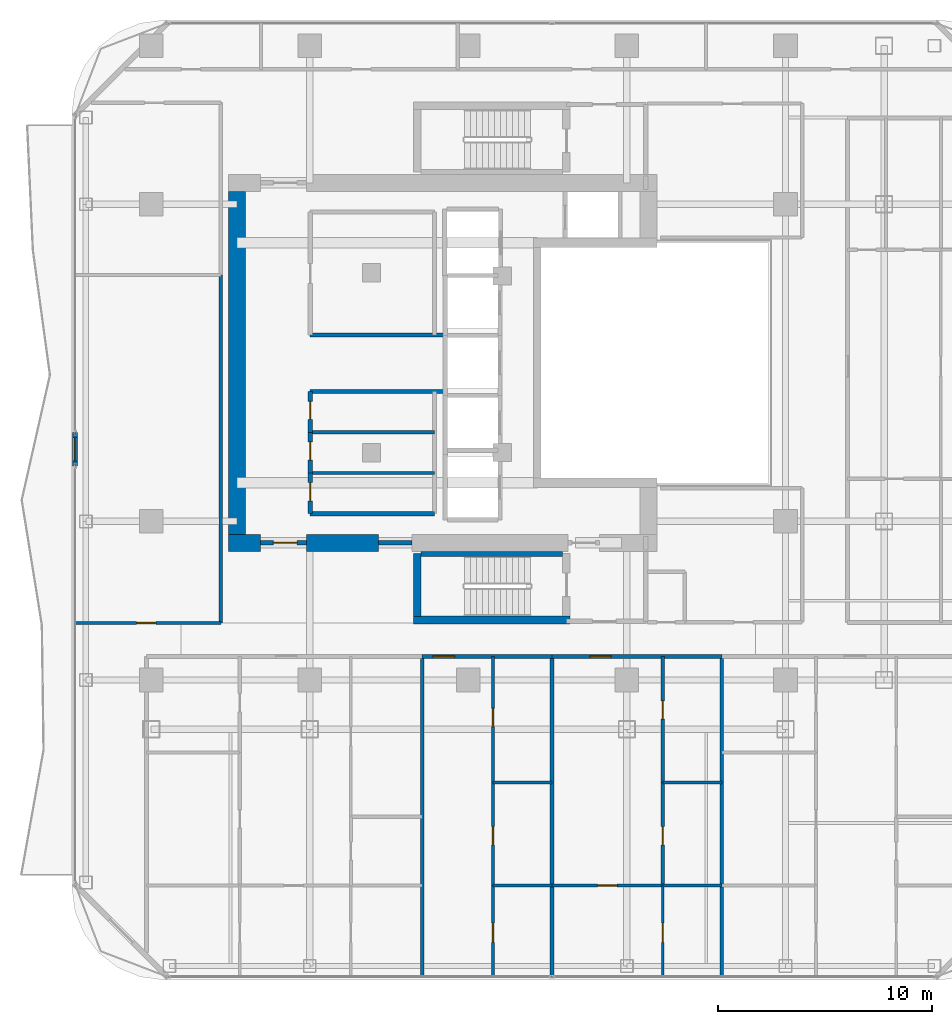
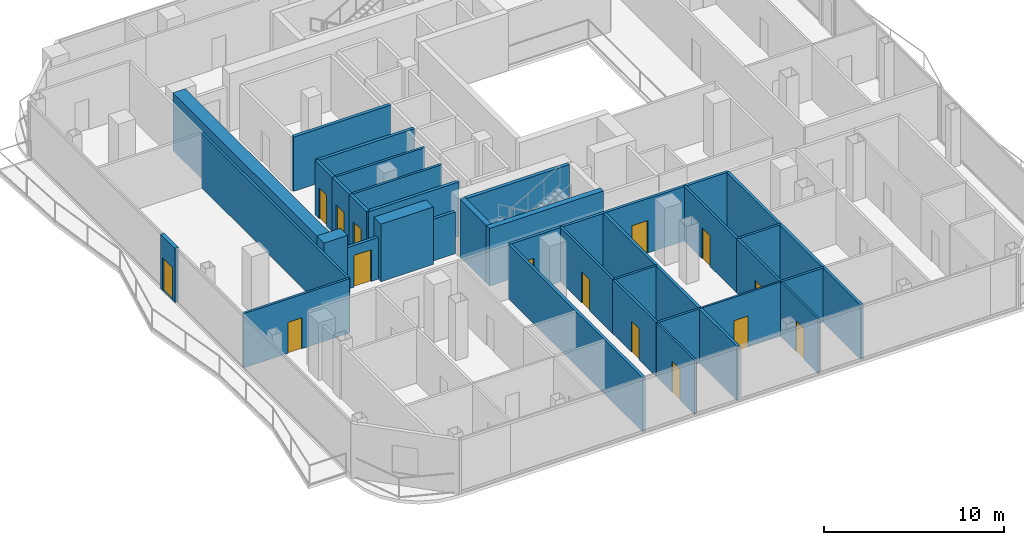
# One storey, part 20 of 26: 35 walls, 15 doors, 15 openings.
"""IFC4 building model written with IfcOpenShell, lengths in metres."""

from ifc_helpers import new_model, si_unit, direction, frame, frame_2d, origin, place, context, subcontext, project, spatial, rectangle, extrude, material, layer, layer_set, type_object, element, fill, save


model = new_model("IFC4")

# Units and contexts
model_context = context("Model", 3, precision=1e-05, world=origin(), true_north=direction((0.0, 1.0)))
body_context = subcontext(model_context, "Body", "Model", "MODEL_VIEW")
ifc_project = project(units=[si_unit("LENGTHUNIT", "METRE"), si_unit("AREAUNIT", "SQUARE_METRE"), si_unit("VOLUMEUNIT", "CUBIC_METRE"), si_unit("PLANEANGLEUNIT", "RADIAN"), si_unit("MASSUNIT", "GRAM", prefix="KILO")], contexts=[model_context])

# Site, building, storey
site_placement = place(None, origin())
site = spatial("IfcSite", under=ifc_project, at=site_placement, CompositionType="ELEMENT")
building_placement = place(site_placement, origin())
building = spatial("IfcBuilding", under=site, at=building_placement, Name="Khorvyn Point Tower", CompositionType="ELEMENT")
storey_placement = place(building_placement, frame((0.0, 0.0, 223.5)))
storey = spatial("IfcBuildingStorey", under=building, at=storey_placement, Name="L55", CompositionType="ELEMENT", Elevation=223.5)

# Wall, opening, door
ifc_material_1 = material(Name="Double acoustic gypsum on twin steel stud", Category="steel")
ifc_layer_1 = layer(ifc_material_1, 0.179931640625)
ifc_layer_set_1 = layer_set([ifc_layer_1], Name="Acoustic Double-Stud Apartment Demising Wall 180")
wall_type_1 = type_object("IfcWallType", Name="Acoustic Double-Stud Apartment Demising Wall 180", PredefinedType="PARTITIONING", material=ifc_layer_set_1)
wall_1_placement = place(storey_placement, frame((-2.154052734375, -13.699951171875, 0.0), z_axis=(0.0, 0.0, 1.0), x_axis=(1.0, 0.0, 0.0)))
wall_1 = element("IfcWall", 1, at=wall_1_placement, inside=storey, type_object=wall_type_1, Name="Wall", PredefinedType="PARTITIONING", context=body_context, shape_type="SweptSolid", body=[
    extrude(rectangle(XDim=6.053955078125, YDim=0.179931640625, at=frame_2d((3.02685546875, 0.0))), origin(), (0.0, 0.0, 1.0), 3.679931640625),
])
opening_1_placement = place(wall_1_placement, frame((0.5107421875, 0.0, 0.0)))
opening_1 = element("IfcOpeningElement", 2, at=opening_1_placement, cuts=wall_1, Name="Opening ID-AP60", PredefinedType="OPENING", context=body_context, shape_type="SweptSolid", body=[
    extrude(rectangle(XDim=1.0, YDim=2.199951171875, at=frame_2d((0.5, 1.10009765625))), frame((0.0, 0.099853515625, 0.0), z_axis=(0.0, -1.0, 0.0), x_axis=(1.0, 0.0, 0.0)), (0.0, 0.0, 1.0), 0.199951171875),
])
ifc_material_2 = material(Name="Engineered hardwood fire-rated leaf", Category="wood")
door_type_1 = type_object("IfcDoorType", Name="Acoustic Solid-Core Timber Apartment Entrance Door 1000x2200", OperationType="NOTDEFINED", PredefinedType="DOOR", material=ifc_material_2)
door_1_placement = place(opening_1_placement, origin())
door_1 = element("IfcDoor", 3, at=door_1_placement, inside=storey, type_object=door_type_1, Name="Door", OperationType="SINGLE_SWING_LEFT", OverallHeight=2.199951171875, OverallWidth=1.0, PredefinedType="DOOR", context=body_context, shape_type="SweptSolid", body=[
    extrude(rectangle(XDim=1.0, YDim=2.199951171875, at=frame_2d((0.5, 1.10009765625))), frame((0.0, 0.02490234375, 0.0), z_axis=(0.0, -1.0, 0.0), x_axis=(1.0, 0.0, 0.0)), (0.0, 0.0, 1.0), 0.050048828125),
])
fill(opening_1, door_1)

wall_2_placement = place(storey_placement, frame((3.89990234375, -13.699951171875, 0.0), z_axis=(0.0, 0.0, 1.0), x_axis=(1.0, 0.0, 0.0)))
wall_2 = element("IfcWall", 4, at=wall_2_placement, inside=storey, type_object=wall_type_1, Name="Wall", PredefinedType="PARTITIONING", context=body_context, shape_type="SweptSolid", body=[
    extrude(rectangle(XDim=7.927001953125, YDim=0.179931640625, at=frame_2d((3.96337890625, 0.0))), origin(), (0.0, 0.0, 1.0), 3.679931640625),
])
opening_2_placement = place(wall_2_placement, frame((1.76708984375, 0.0, 0.0)))
opening_2 = element("IfcOpeningElement", 5, at=opening_2_placement, cuts=wall_2, Name="Opening ID-AP60", PredefinedType="OPENING", context=body_context, shape_type="SweptSolid", body=[
    extrude(rectangle(XDim=1.0, YDim=2.199951171875, at=frame_2d((0.5, 1.10009765625))), frame((0.0, 0.099853515625, 0.0), z_axis=(0.0, -1.0, 0.0), x_axis=(1.0, 0.0, 0.0)), (0.0, 0.0, 1.0), 0.199951171875),
])
door_2_placement = place(opening_2_placement, origin())
door_2 = element("IfcDoor", 6, at=door_2_placement, inside=storey, type_object=door_type_1, Name="Door", OperationType="SINGLE_SWING_LEFT", OverallHeight=2.199951171875, OverallWidth=1.0, PredefinedType="DOOR", context=body_context, shape_type="SweptSolid", body=[
    extrude(rectangle(XDim=1.0, YDim=2.199951171875, at=frame_2d((0.5, 1.10009765625))), frame((0.0, 0.02490234375, 0.0), z_axis=(0.0, -1.0, 0.0), x_axis=(1.0, 0.0, 0.0)), (0.0, 0.0, 1.0), 0.050048828125),
])
fill(opening_2, door_2)

# Walls
for number, where, z_axis, x_axis, name in (
    (7, (-2.154052734375, -28.6298828125, 0.0), (0.0, 0.0, 1.0), (0.0, 1.0, 0.0), "Wall"),
    (8, (3.89990234375, -28.6298828125, 0.0), (0.0, 0.0, 1.0), (0.0, 1.0, 0.0), "Wall"),
    (9, (11.826904296875, -28.6298828125, 0.0), (0.0, 0.0, 1.0), (0.0, 1.0, 0.0), "Wall"),
):
    element("IfcWall", number, at=place(storey_placement, frame(where, z_axis=z_axis, x_axis=x_axis)), inside=storey, type_object=wall_type_1, Name=name, PredefinedType="PARTITIONING", context=body_context, shape_type="SweptSolid", body=[
        extrude(rectangle(XDim=14.929931640625, YDim=0.179931640625, at=frame_2d((7.46484375, 0.0))), origin(), (0.0, 0.0, 1.0), 3.679931640625),
    ])

# Wall, opening, door
ifc_material_3 = material(Name="Pale anodised aluminium rainscreen on steel stud", Category="steel")
ifc_layer_2 = layer(ifc_material_3, 0.239990234375)
ifc_layer_set_2 = layer_set([ifc_layer_2], Name="Anodised Aluminium Insulated Corner Spandrel Wall 240")
wall_type_2 = type_object("IfcWallType", Name="Anodised Aluminium Insulated Corner Spandrel Wall 240", PredefinedType="SOLIDWALL", material=ifc_layer_set_2)
wall_3_placement = place(storey_placement, frame((-18.35009765625, -4.820068359375, 0.0), z_axis=(0.0, 0.0, 1.0), x_axis=(0.0, 1.0, 0.0)))
wall_3 = element("IfcWall", 10, at=wall_3_placement, inside=storey, type_object=wall_type_2, Name="L55 West Outdoor Threshold Wall", PredefinedType="SOLIDWALL", context=body_context, shape_type="SweptSolid", body=[
    extrude(rectangle(XDim=1.580078125, YDim=0.239990234375, at=frame_2d((0.7900390625, 0.0))), origin(), (0.0, 0.0, 1.0), 3.679931640625),
])
opening_3_placement = place(wall_3_placement, frame((0.239990234375, 0.0, 0.0)))
opening_3 = element("IfcOpeningElement", 11, at=opening_3_placement, cuts=wall_3, Name="Opening BD-1122", PredefinedType="OPENING", context=body_context, shape_type="SweptSolid", body=[
    extrude(rectangle(XDim=1.10009765625, YDim=2.199951171875, at=frame_2d((0.550048828125, 1.10009765625))), frame((0.0, 0.1298828125, 0.0), z_axis=(0.0, -1.0, 0.0), x_axis=(1.0, 0.0, 0.0)), (0.0, 0.0, 1.0), 0.260009765625),
])
ifc_material_4 = material(Name="Anodised aluminium 6063-T6 and laminated Low-E glass", Category="aluminium")
door_type_2 = type_object("IfcDoorType", Name="Glazed Balcony and Terrace Threshold Door 1100x2200", OperationType="NOTDEFINED", PredefinedType="DOOR", material=ifc_material_4)
door_3_placement = place(opening_3_placement, origin())
door_3 = element("IfcDoor", 12, at=door_3_placement, inside=storey, type_object=door_type_2, Name="L55 West Glazed Balcony Outdoor Door", OperationType="SINGLE_SWING_RIGHT", OverallHeight=2.199951171875, OverallWidth=1.10009765625, PredefinedType="DOOR", context=body_context, shape_type="SweptSolid", body=[
    extrude(rectangle(XDim=1.10009765625, YDim=2.199951171875, at=frame_2d((0.550048828125, 1.10009765625))), frame((0.0, 0.02490234375, 0.0), z_axis=(0.0, -1.0, 0.0), x_axis=(1.0, 0.0, 0.0)), (0.0, 0.0, 1.0), 0.050048828125),
])
fill(opening_3, door_3)

ifc_material_5 = material(Name="Concrete C40/50", Category="concrete")
ifc_layer_3 = layer(ifc_material_5, 0.199951171875)
ifc_layer_set_3 = layer_set([ifc_layer_3], Name="Concrete C40/50 Fire-Lobby Compartment Wall 200")
wall_type_3 = type_object("IfcWallType", Name="Concrete C40/50 Fire-Lobby Compartment Wall 200", PredefinedType="SOLIDWALL", material=ifc_layer_set_3)
wall_4_placement = place(storey_placement, frame((-9.699951171875, -8.39990234375, 0.0), z_axis=(0.0, 0.0, 1.0), x_axis=(1.0, 0.0, 0.0)))
wall_4 = element("IfcWall", 13, at=wall_4_placement, inside=storey, type_object=wall_type_3, Name="Wall", PredefinedType="SOLIDWALL", context=body_context, shape_type="SweptSolid", body=[
    extrude(rectangle(XDim=2.14990234375, YDim=0.199951171875, at=frame_2d((1.074951171875, 0.0))), origin(), (0.0, 0.0, 1.0), 2.820068359375),
])
opening_4_placement = place(wall_4_placement, frame((0.597900390625, 0.0, 0.0)))
opening_4 = element("IfcOpeningElement", 14, at=opening_4_placement, cuts=wall_4, Name="Opening ID-FL90", PredefinedType="OPENING", context=body_context, shape_type="SweptSolid", body=[
    extrude(rectangle(XDim=1.10009765625, YDim=2.14990234375, at=frame_2d((0.550048828125, 1.074951171875))), frame((0.0, 0.10986328125, 0.0), z_axis=(0.0, -1.0, 0.0), x_axis=(1.0, 0.0, 0.0)), (0.0, 0.0, 1.0), 0.219970703125),
])
ifc_material_6 = material(Name="Galvanised powder-coated steel", Category="steel")
door_type_3 = type_object("IfcDoorType", Name="Fire-Rated Steel Lobby and Stair Door 1100x2150", OperationType="NOTDEFINED", PredefinedType="DOOR", material=ifc_material_6)
door_4_placement = place(opening_4_placement, origin())
door_4 = element("IfcDoor", 15, at=door_4_placement, inside=storey, type_object=door_type_3, Name="Door", OperationType="SINGLE_SWING_RIGHT", OverallHeight=2.14990234375, OverallWidth=1.10009765625, PredefinedType="DOOR", context=body_context, shape_type="SweptSolid", body=[
    extrude(rectangle(XDim=1.10009765625, YDim=2.14990234375, at=frame_2d((0.550048828125, 1.074951171875))), frame((0.0, 0.02490234375, 0.0), z_axis=(0.0, -1.0, 0.0), x_axis=(1.0, 0.0, 0.0)), (0.0, 0.0, 1.0), 0.050048828125),
])
fill(opening_4, door_4)

wall_5_placement = place(storey_placement, frame((-7.3798828125, -7.0400390625, 0.0), z_axis=(0.0, 0.0, 1.0), x_axis=(0.0, 1.0, 0.0)))
wall_5 = element("IfcWall", 16, at=wall_5_placement, inside=storey, type_object=wall_type_3, Name="Wall", PredefinedType="SOLIDWALL", context=body_context, shape_type="SweptSolid", body=[
    extrude(rectangle(XDim=1.900146484375, YDim=0.199951171875, at=frame_2d((0.9501953125, 0.0))), origin(), (0.0, 0.0, 1.0), 3.679931640625),
])
opening_5_placement = place(wall_5_placement, frame((0.597900390625, 0.0, 0.0)))
opening_5 = element("IfcOpeningElement", 17, at=opening_5_placement, cuts=wall_5, Name="Opening ID-WC85", PredefinedType="OPENING", context=body_context, shape_type="SweptSolid", body=[
    extrude(rectangle(XDim=0.85009765625, YDim=2.10009765625, at=frame_2d((0.425048828125, 1.050048828125))), frame((0.0, 0.10986328125, 0.0), z_axis=(0.0, -1.0, 0.0), x_axis=(1.0, 0.0, 0.0)), (0.0, 0.0, 1.0), 0.219970703125),
])
ifc_material_7 = material(Name="High-pressure laminate on moisture-resistant core", Category="wood")
door_type_4 = type_object("IfcDoorType", Name="Moisture-Resistant Accessible Washroom Door 850x2100", OperationType="NOTDEFINED", PredefinedType="DOOR", material=ifc_material_7)
door_5_placement = place(opening_5_placement, origin())
door_5 = element("IfcDoor", 18, at=door_5_placement, inside=storey, type_object=door_type_4, Name="Door", OperationType="SINGLE_SWING_RIGHT", OverallHeight=2.10009765625, OverallWidth=0.85009765625, PredefinedType="DOOR", context=body_context, shape_type="SweptSolid", body=[
    extrude(rectangle(XDim=0.85009765625, YDim=2.10009765625, at=frame_2d((0.425048828125, 1.050048828125))), frame((0.0, 0.02490234375, 0.0), z_axis=(0.0, -1.0, 0.0), x_axis=(1.0, 0.0, 0.0)), (0.0, 0.0, 1.0), 0.050048828125),
])
fill(opening_5, door_5)

wall_6_placement = place(storey_placement, frame((-7.3798828125, -5.139892578125, 0.0), z_axis=(0.0, 0.0, 1.0), x_axis=(0.0, 1.0, 0.0)))
wall_6 = element("IfcWall", 19, at=wall_6_placement, inside=storey, type_object=wall_type_3, Name="Wall", PredefinedType="SOLIDWALL", context=body_context, shape_type="SweptSolid", body=[
    extrude(rectangle(XDim=1.89990234375, YDim=0.199951171875, at=frame_2d((0.949951171875, 0.0))), origin(), (0.0, 0.0, 1.0), 3.679931640625),
])
opening_6_placement = place(wall_6_placement, frame((0.597900390625, 0.0, 0.0)))
opening_6 = element("IfcOpeningElement", 20, at=opening_6_placement, cuts=wall_6, Name="Opening ID-WC85", PredefinedType="OPENING", context=body_context, shape_type="SweptSolid", body=[
    extrude(rectangle(XDim=0.85009765625, YDim=2.10009765625, at=frame_2d((0.425048828125, 1.050048828125))), frame((0.0, 0.10986328125, 0.0), z_axis=(0.0, -1.0, 0.0), x_axis=(1.0, 0.0, 0.0)), (0.0, 0.0, 1.0), 0.219970703125),
])
door_6_placement = place(opening_6_placement, origin())
door_6 = element("IfcDoor", 21, at=door_6_placement, inside=storey, type_object=door_type_4, Name="Door", OperationType="SINGLE_SWING_LEFT", OverallHeight=2.10009765625, OverallWidth=0.85009765625, PredefinedType="DOOR", context=body_context, shape_type="SweptSolid", body=[
    extrude(rectangle(XDim=0.85009765625, YDim=2.10009765625, at=frame_2d((0.425048828125, 1.050048828125))), frame((0.0, 0.02490234375, 0.0), z_axis=(0.0, -1.0, 0.0), x_axis=(1.0, 0.0, 0.0)), (0.0, 0.0, 1.0), 0.050048828125),
])
fill(opening_6, door_6)

wall_7_placement = place(storey_placement, frame((-7.3798828125, -3.239990234375, 0.0), z_axis=(0.0, 0.0, 1.0), x_axis=(0.0, 1.0, 0.0)))
wall_7 = element("IfcWall", 22, at=wall_7_placement, inside=storey, type_object=wall_type_3, Name="Wall", PredefinedType="SOLIDWALL", context=body_context, shape_type="SweptSolid", body=[
    extrude(rectangle(XDim=1.89990234375, YDim=0.199951171875, at=frame_2d((0.949951171875, 0.0))), origin(), (0.0, 0.0, 1.0), 3.679931640625),
])
opening_7_placement = place(wall_7_placement, frame((0.597900390625, 0.0, 0.0)))
opening_7 = element("IfcOpeningElement", 23, at=opening_7_placement, cuts=wall_7, Name="Opening ID-WC85", PredefinedType="OPENING", context=body_context, shape_type="SweptSolid", body=[
    extrude(rectangle(XDim=0.85009765625, YDim=2.10009765625, at=frame_2d((0.425048828125, 1.050048828125))), frame((0.0, 0.10986328125, 0.0), z_axis=(0.0, -1.0, 0.0), x_axis=(1.0, 0.0, 0.0)), (0.0, 0.0, 1.0), 0.219970703125),
])
door_7_placement = place(opening_7_placement, origin())
door_7 = element("IfcDoor", 24, at=door_7_placement, inside=storey, type_object=door_type_4, Name="Door", OperationType="SINGLE_SWING_RIGHT", OverallHeight=2.10009765625, OverallWidth=0.85009765625, PredefinedType="DOOR", context=body_context, shape_type="SweptSolid", body=[
    extrude(rectangle(XDim=0.85009765625, YDim=2.10009765625, at=frame_2d((0.425048828125, 1.050048828125))), frame((0.0, 0.02490234375, 0.0), z_axis=(0.0, -1.0, 0.0), x_axis=(1.0, 0.0, 0.0)), (0.0, 0.0, 1.0), 0.050048828125),
])
fill(opening_7, door_7)

# Walls
wall_8_placement = place(storey_placement, frame((-4.199951171875, -8.39990234375, 0.0), z_axis=(0.0, 0.0, 1.0), x_axis=(1.0, 0.0, 0.0)))
element("IfcWall", 25, at=wall_8_placement, inside=storey, type_object=wall_type_3, Name="Wall", PredefinedType="SOLIDWALL", context=body_context, shape_type="SweptSolid", body=[
    extrude(rectangle(XDim=1.579833984375, YDim=0.199951171875, at=frame_2d((0.7900390625, 0.0))), origin(), (0.0, 0.0, 1.0), 2.820068359375),
])
for number, where, z_axis, x_axis, name in (
    (26, (-7.3798828125, -1.340087890625, 0.0), (0.0, 0.0, 1.0), (1.0, 0.0, 0.0), "Wall"),
    (27, (-7.3798828125, 1.300048828125, 0.0), (0.0, 0.0, 1.0), (1.0, 0.0, 0.0), "Wall"),
):
    element("IfcWall", number, at=place(storey_placement, frame(where, z_axis=z_axis, x_axis=x_axis)), inside=storey, type_object=wall_type_3, Name=name, PredefinedType="SOLIDWALL", context=body_context, shape_type="SweptSolid", body=[
        extrude(rectangle(XDim=6.239990234375, YDim=0.199951171875, at=frame_2d((3.1201171875, 0.0))), origin(), (0.0, 0.0, 1.0), 3.679931640625),
    ])
wall_9_placement = place(storey_placement, frame((-7.3798828125, -7.0400390625, 0.0), z_axis=(0.0, 0.0, 1.0), x_axis=(1.0, 0.0, 0.0)))
element("IfcWall", 28, at=wall_9_placement, inside=storey, type_object=wall_type_3, Name="Wall", PredefinedType="SOLIDWALL", context=body_context, shape_type="SweptSolid", body=[
    extrude(rectangle(XDim=5.7998046875, YDim=0.199951171875, at=frame_2d((2.89990234375, 0.0))), origin(), (0.0, 0.0, 1.0), 3.679931640625),
])
ifc_layer_4 = layer(ifc_material_5, 0.25)
ifc_layer_set_4 = layer_set([ifc_layer_4], Name="Concrete C40/50 Stair Inner Cheek Structural Wall 250")
wall_type_4 = type_object("IfcWallType", Name="Concrete C40/50 Stair Inner Cheek Structural Wall 250", PredefinedType="SHEAR", material=ifc_layer_set_4)
wall_10_placement = place(storey_placement, frame((-2.199951171875, -8.91259765625, 0.0), z_axis=(0.0, 0.0, 1.0), x_axis=(1.0, 0.0, 0.0)))
element("IfcWall", 29, at=wall_10_placement, inside=storey, type_object=wall_type_4, Name="Wall", PredefinedType="SHEAR", context=body_context, shape_type="SweptSolid", body=[
    extrude(rectangle(XDim=6.599853515625, YDim=0.22509765625, at=frame_2d((3.2998046875, 0.0))), origin(), (0.0, 0.0, 1.0), 3.89990234375),
])
ifc_layer_5 = layer(ifc_material_5, 0.35009765625)
ifc_layer_set_5 = layer_set([ifc_layer_5], Name="Concrete C40/50 Stair Shaft Structural Wall 350")
wall_type_5 = type_object("IfcWallType", Name="Concrete C40/50 Stair Shaft Structural Wall 350", PredefinedType="SHEAR", material=ifc_layer_set_5)
wall_11_placement = place(storey_placement, frame((-2.554931640625, -12.0, 0.0), z_axis=(0.0, 0.0, 1.0), x_axis=(1.0, 0.0, 0.0)))
element("IfcWall", 30, at=wall_11_placement, inside=storey, type_object=wall_type_5, Name="L55 ST-01 South Shaft Wall", PredefinedType="SHEAR", context=body_context, shape_type="SweptSolid", body=[
    extrude(rectangle(XDim=7.309814453125, YDim=0.35009765625, at=frame_2d((3.65478515625, 0.0))), origin(), (0.0, 0.0, 1.0), 3.89990234375),
])
wall_12_placement = place(storey_placement, frame((-2.3798828125, -11.824951171875, 0.0), z_axis=(0.0, 0.0, 1.0), x_axis=(0.0, 1.0, 0.0)))
element("IfcWall", 31, at=wall_12_placement, inside=storey, type_object=wall_type_5, Name="L55 ST-01 West Shaft Wall", PredefinedType="SHEAR", context=body_context, shape_type="SweptSolid", body=[
    extrude(rectangle(XDim=2.925048828125, YDim=0.35009765625, at=frame_2d((1.46240234375, 0.0))), origin(), (0.0, 0.0, 1.0), 3.89990234375),
])
ifc_material_8 = material(Name="Concrete C45/55", Category="concrete")
ifc_layer_6 = layer(ifc_material_8, 0.800048828125)
ifc_layer_set_6 = layer_set([ifc_layer_6], Name="Concrete C45/55 Core Shear Wall 800")
wall_type_6 = type_object("IfcWallType", Name="Concrete C45/55 Core Shear Wall 800", PredefinedType="SHEAR", material=ifc_layer_set_6)
wall_13_placement = place(storey_placement, frame((-11.199951171875, -8.39990234375, 0.0), z_axis=(0.0, 0.0, 1.0), x_axis=(1.0, 0.0, 0.0)))
element("IfcWall", 32, at=wall_13_placement, inside=storey, type_object=wall_type_6, Name="Wall", PredefinedType="SHEAR", context=body_context, shape_type="SweptSolid", body=[
    extrude(rectangle(XDim=1.5, YDim=0.800048828125, at=frame_2d((0.75, 0.0))), origin(), (0.0, 0.0, 1.0), 3.89990234375),
])
wall_14_placement = place(storey_placement, frame((-7.550048828125, -8.39990234375, 0.0), z_axis=(0.0, 0.0, 1.0), x_axis=(1.0, 0.0, 0.0)))
element("IfcWall", 33, at=wall_14_placement, inside=storey, type_object=wall_type_6, Name="Wall", PredefinedType="SHEAR", context=body_context, shape_type="SweptSolid", body=[
    extrude(rectangle(XDim=3.35009765625, YDim=0.800048828125, at=frame_2d((1.675048828125, 0.0))), origin(), (0.0, 0.0, 1.0), 3.89990234375),
])
wall_15_placement = place(storey_placement, frame((-10.800048828125, -8.0, 0.0), z_axis=(0.0, 0.0, 1.0), x_axis=(0.0, 1.0, 0.0)))
element("IfcWall", 34, at=wall_15_placement, inside=storey, type_object=wall_type_6, Name="Wall", PredefinedType="SHEAR", context=body_context, shape_type="SweptSolid", body=[
    extrude(rectangle(XDim=16.0, YDim=0.800048828125, at=frame_2d((8.0, 0.0))), origin(), (0.0, 0.0, 1.0), 3.89990234375),
])

# Wall, opening, door
ifc_material_9 = material(Name="Gypsum plasterboard on steel stud", Category="steel")
ifc_layer_7 = layer(ifc_material_9, 0.1201171875)
ifc_layer_set_7 = layer_set([ifc_layer_7], Name="Gypsum Acoustic Stud Room Partition Wall 120")
wall_type_7 = type_object("IfcWallType", Name="Gypsum Acoustic Stud Room Partition Wall 120", PredefinedType="PARTITIONING", material=ifc_layer_set_7)
wall_16_placement = place(storey_placement, frame((1.14990234375, -28.6298828125, 0.0), z_axis=(0.0, 0.0, 1.0), x_axis=(0.0, 1.0, 0.0)))
wall_16 = element("IfcWall", 35, at=wall_16_placement, inside=storey, type_object=wall_type_7, Name="Wall", PredefinedType="PARTITIONING", context=body_context, shape_type="SweptSolid", body=[
    extrude(rectangle(XDim=4.239990234375, YDim=0.1201171875, at=frame_2d((2.1201171875, 0.0))), origin(), (0.0, 0.0, 1.0), 3.679931640625),
])
opening_8_placement = place(wall_16_placement, frame((1.581298828125, 0.0, 0.0)))
opening_8 = element("IfcOpeningElement", 36, at=opening_8_placement, cuts=wall_16, Name="Opening ID-RM90", PredefinedType="OPENING", context=body_context, shape_type="SweptSolid", body=[
    extrude(rectangle(XDim=0.89990234375, YDim=2.10009765625, at=frame_2d((0.449951171875, 1.050048828125))), frame((0.0, 0.070068359375, 0.0), z_axis=(0.0, -1.0, 0.0), x_axis=(1.0, 0.0, 0.0)), (0.0, 0.0, 1.0), 0.14013671875),
])
ifc_material_10 = material(Name="Engineered oak veneer timber", Category="wood")
door_type_5 = type_object("IfcDoorType", Name="Flush Engineered Timber Room Door 900x2100", OperationType="NOTDEFINED", PredefinedType="DOOR", material=ifc_material_10)
door_8_placement = place(opening_8_placement, origin())
door_8 = element("IfcDoor", 37, at=door_8_placement, inside=storey, type_object=door_type_5, Name="Door", OperationType="SINGLE_SWING_RIGHT", OverallHeight=2.10009765625, OverallWidth=0.89990234375, PredefinedType="DOOR", context=body_context, shape_type="SweptSolid", body=[
    extrude(rectangle(XDim=0.89990234375, YDim=2.10009765625, at=frame_2d((0.449951171875, 1.050048828125))), frame((0.0, 0.02490234375, 0.0), z_axis=(0.0, -1.0, 0.0), x_axis=(1.0, 0.0, 0.0)), (0.0, 0.0, 1.0), 0.050048828125),
])
fill(opening_8, door_8)

wall_17_placement = place(storey_placement, frame((3.89990234375, -24.389892578125, 0.0), z_axis=(0.0, 0.0, 1.0), x_axis=(1.0, 0.0, 0.0)))
wall_17 = element("IfcWall", 38, at=wall_17_placement, inside=storey, type_object=wall_type_7, Name="Wall", PredefinedType="PARTITIONING", context=body_context, shape_type="SweptSolid", body=[
    extrude(rectangle(XDim=5.177001953125, YDim=0.1201171875, at=frame_2d((2.58837890625, 0.0))), origin(), (0.0, 0.0, 1.0), 3.679931640625),
])
opening_9_placement = place(wall_17_placement, frame((2.138427734375, 0.0, 0.0)))
opening_9 = element("IfcOpeningElement", 39, at=opening_9_placement, cuts=wall_17, Name="Opening ID-RM90", PredefinedType="OPENING", context=body_context, shape_type="SweptSolid", body=[
    extrude(rectangle(XDim=0.89990234375, YDim=2.10009765625, at=frame_2d((0.449951171875, 1.050048828125))), frame((0.0, 0.070068359375, 0.0), z_axis=(0.0, -1.0, 0.0), x_axis=(1.0, 0.0, 0.0)), (0.0, 0.0, 1.0), 0.14013671875),
])
door_9_placement = place(opening_9_placement, origin())
door_9 = element("IfcDoor", 40, at=door_9_placement, inside=storey, type_object=door_type_5, Name="Door", OperationType="SINGLE_SWING_RIGHT", OverallHeight=2.10009765625, OverallWidth=0.89990234375, PredefinedType="DOOR", context=body_context, shape_type="SweptSolid", body=[
    extrude(rectangle(XDim=0.89990234375, YDim=2.10009765625, at=frame_2d((0.449951171875, 1.050048828125))), frame((0.0, 0.02490234375, 0.0), z_axis=(0.0, -1.0, 0.0), x_axis=(1.0, 0.0, 0.0)), (0.0, 0.0, 1.0), 0.050048828125),
])
fill(opening_9, door_9)

wall_18_placement = place(storey_placement, frame((9.076904296875, -28.6298828125, 0.0), z_axis=(0.0, 0.0, 1.0), x_axis=(0.0, 1.0, 0.0)))
wall_18 = element("IfcWall", 41, at=wall_18_placement, inside=storey, type_object=wall_type_7, Name="Wall", PredefinedType="PARTITIONING", context=body_context, shape_type="SweptSolid", body=[
    extrude(rectangle(XDim=4.239990234375, YDim=0.1201171875, at=frame_2d((2.1201171875, 0.0))), origin(), (0.0, 0.0, 1.0), 3.679931640625),
])
opening_10_placement = place(wall_18_placement, frame((1.581298828125, 0.0, 0.0)))
opening_10 = element("IfcOpeningElement", 42, at=opening_10_placement, cuts=wall_18, Name="Opening ID-RM90", PredefinedType="OPENING", context=body_context, shape_type="SweptSolid", body=[
    extrude(rectangle(XDim=0.89990234375, YDim=2.10009765625, at=frame_2d((0.449951171875, 1.050048828125))), frame((0.0, 0.070068359375, 0.0), z_axis=(0.0, -1.0, 0.0), x_axis=(1.0, 0.0, 0.0)), (0.0, 0.0, 1.0), 0.14013671875),
])
door_10_placement = place(opening_10_placement, origin())
door_10 = element("IfcDoor", 43, at=door_10_placement, inside=storey, type_object=door_type_5, Name="Door", OperationType="SINGLE_SWING_LEFT", OverallHeight=2.10009765625, OverallWidth=0.89990234375, PredefinedType="DOOR", context=body_context, shape_type="SweptSolid", body=[
    extrude(rectangle(XDim=0.89990234375, YDim=2.10009765625, at=frame_2d((0.449951171875, 1.050048828125))), frame((0.0, 0.02490234375, 0.0), z_axis=(0.0, -1.0, 0.0), x_axis=(1.0, 0.0, 0.0)), (0.0, 0.0, 1.0), 0.050048828125),
])
fill(opening_10, door_10)

ifc_material_11 = material(Name="Moisture-resistant gypsum and cement board", Category="gypsum")
ifc_layer_8 = layer(ifc_material_11, 0.14990234375)
ifc_layer_set_8 = layer_set([ifc_layer_8], Name="Moisture-Resistant Wet-Room Partition Wall 150")
wall_type_8 = type_object("IfcWallType", Name="Moisture-Resistant Wet-Room Partition Wall 150", PredefinedType="PARTITIONING", material=ifc_layer_set_8)
wall_19_placement = place(storey_placement, frame((1.14990234375, -19.5791015625, 0.0), z_axis=(0.0, 0.0, 1.0), x_axis=(0.0, 1.0, 0.0)))
wall_19 = element("IfcWall", 44, at=wall_19_placement, inside=storey, type_object=wall_type_8, Name="Wall", PredefinedType="PARTITIONING", context=body_context, shape_type="SweptSolid", body=[
    extrude(rectangle(XDim=5.879150390625, YDim=0.14990234375, at=frame_2d((2.939453125, 0.0))), origin(), (0.0, 0.0, 1.0), 3.679931640625),
])
opening_11_placement = place(wall_19_placement, frame((2.601806640625, 0.0, 0.0)))
opening_11 = element("IfcOpeningElement", 45, at=opening_11_placement, cuts=wall_19, Name="Opening ID-WC85", PredefinedType="OPENING", context=body_context, shape_type="SweptSolid", body=[
    extrude(rectangle(XDim=0.85009765625, YDim=2.10009765625, at=frame_2d((0.425048828125, 1.050048828125))), frame((0.0, 0.0849609375, 0.0), z_axis=(0.0, -1.0, 0.0), x_axis=(1.0, 0.0, 0.0)), (0.0, 0.0, 1.0), 0.169921875),
])
door_11_placement = place(opening_11_placement, origin())
door_11 = element("IfcDoor", 46, at=door_11_placement, inside=storey, type_object=door_type_4, Name="Door", OperationType="SINGLE_SWING_RIGHT", OverallHeight=2.10009765625, OverallWidth=0.85009765625, PredefinedType="DOOR", context=body_context, shape_type="SweptSolid", body=[
    extrude(rectangle(XDim=0.85009765625, YDim=2.10009765625, at=frame_2d((0.425048828125, 1.050048828125))), frame((0.0, 0.02490234375, 0.0), z_axis=(0.0, -1.0, 0.0), x_axis=(1.0, 0.0, 0.0)), (0.0, 0.0, 1.0), 0.050048828125),
])
fill(opening_11, door_11)

wall_20_placement = place(storey_placement, frame((1.14990234375, -24.389892578125, 0.0), z_axis=(0.0, 0.0, 1.0), x_axis=(0.0, 1.0, 0.0)))
wall_20 = element("IfcWall", 47, at=wall_20_placement, inside=storey, type_object=wall_type_8, Name="Wall", PredefinedType="PARTITIONING", context=body_context, shape_type="SweptSolid", body=[
    extrude(rectangle(XDim=4.810791015625, YDim=0.14990234375, at=frame_2d((2.4052734375, 0.0))), origin(), (0.0, 0.0, 1.0), 3.679931640625),
])
opening_12_placement = place(wall_20_placement, frame((1.893798828125, 0.0, 0.0)))
opening_12 = element("IfcOpeningElement", 48, at=opening_12_placement, cuts=wall_20, Name="Opening ID-WC85", PredefinedType="OPENING", context=body_context, shape_type="SweptSolid", body=[
    extrude(rectangle(XDim=0.85009765625, YDim=2.10009765625, at=frame_2d((0.425048828125, 1.050048828125))), frame((0.0, 0.0849609375, 0.0), z_axis=(0.0, -1.0, 0.0), x_axis=(1.0, 0.0, 0.0)), (0.0, 0.0, 1.0), 0.169921875),
])
door_12_placement = place(opening_12_placement, origin())
door_12 = element("IfcDoor", 49, at=door_12_placement, inside=storey, type_object=door_type_4, Name="Door", OperationType="SINGLE_SWING_LEFT", OverallHeight=2.10009765625, OverallWidth=0.85009765625, PredefinedType="DOOR", context=body_context, shape_type="SweptSolid", body=[
    extrude(rectangle(XDim=0.85009765625, YDim=2.10009765625, at=frame_2d((0.425048828125, 1.050048828125))), frame((0.0, 0.02490234375, 0.0), z_axis=(0.0, -1.0, 0.0), x_axis=(1.0, 0.0, 0.0)), (0.0, 0.0, 1.0), 0.050048828125),
])
fill(opening_12, door_12)

wall_21_placement = place(storey_placement, frame((9.076904296875, -19.5791015625, 0.0), z_axis=(0.0, 0.0, 1.0), x_axis=(0.0, 1.0, 0.0)))
wall_21 = element("IfcWall", 50, at=wall_21_placement, inside=storey, type_object=wall_type_8, Name="Wall", PredefinedType="PARTITIONING", context=body_context, shape_type="SweptSolid", body=[
    extrude(rectangle(XDim=5.879150390625, YDim=0.14990234375, at=frame_2d((2.939453125, 0.0))), origin(), (0.0, 0.0, 1.0), 3.679931640625),
])
opening_13_placement = place(wall_21_placement, frame((2.950439453125, 0.0, 0.0)))
opening_13 = element("IfcOpeningElement", 51, at=opening_13_placement, cuts=wall_21, Name="Opening ID-WC85", PredefinedType="OPENING", context=body_context, shape_type="SweptSolid", body=[
    extrude(rectangle(XDim=0.85009765625, YDim=2.10009765625, at=frame_2d((0.425048828125, 1.050048828125))), frame((0.0, 0.0849609375, 0.0), z_axis=(0.0, -1.0, 0.0), x_axis=(1.0, 0.0, 0.0)), (0.0, 0.0, 1.0), 0.169921875),
])
door_13_placement = place(opening_13_placement, origin())
door_13 = element("IfcDoor", 52, at=door_13_placement, inside=storey, type_object=door_type_4, Name="Door", OperationType="SINGLE_SWING_LEFT", OverallHeight=2.10009765625, OverallWidth=0.85009765625, PredefinedType="DOOR", context=body_context, shape_type="SweptSolid", body=[
    extrude(rectangle(XDim=0.85009765625, YDim=2.10009765625, at=frame_2d((0.425048828125, 1.050048828125))), frame((0.0, 0.02490234375, 0.0), z_axis=(0.0, -1.0, 0.0), x_axis=(1.0, 0.0, 0.0)), (0.0, 0.0, 1.0), 0.050048828125),
])
fill(opening_13, door_13)

wall_22_placement = place(storey_placement, frame((9.076904296875, -24.389892578125, 0.0), z_axis=(0.0, 0.0, 1.0), x_axis=(0.0, 1.0, 0.0)))
wall_22 = element("IfcWall", 53, at=wall_22_placement, inside=storey, type_object=wall_type_8, Name="Wall", PredefinedType="PARTITIONING", context=body_context, shape_type="SweptSolid", body=[
    extrude(rectangle(XDim=4.810791015625, YDim=0.14990234375, at=frame_2d((2.4052734375, 0.0))), origin(), (0.0, 0.0, 1.0), 3.679931640625),
])
opening_14_placement = place(wall_22_placement, frame((1.893798828125, 0.0, 0.0)))
opening_14 = element("IfcOpeningElement", 54, at=opening_14_placement, cuts=wall_22, Name="Opening ID-WC85", PredefinedType="OPENING", context=body_context, shape_type="SweptSolid", body=[
    extrude(rectangle(XDim=0.85009765625, YDim=2.10009765625, at=frame_2d((0.425048828125, 1.050048828125))), frame((0.0, 0.0849609375, 0.0), z_axis=(0.0, -1.0, 0.0), x_axis=(1.0, 0.0, 0.0)), (0.0, 0.0, 1.0), 0.169921875),
])
door_14_placement = place(opening_14_placement, origin())
door_14 = element("IfcDoor", 55, at=door_14_placement, inside=storey, type_object=door_type_4, Name="Door", OperationType="SINGLE_SWING_RIGHT", OverallHeight=2.10009765625, OverallWidth=0.85009765625, PredefinedType="DOOR", context=body_context, shape_type="SweptSolid", body=[
    extrude(rectangle(XDim=0.85009765625, YDim=2.10009765625, at=frame_2d((0.425048828125, 1.050048828125))), frame((0.0, 0.02490234375, 0.0), z_axis=(0.0, -1.0, 0.0), x_axis=(1.0, 0.0, 0.0)), (0.0, 0.0, 1.0), 0.050048828125),
])
fill(opening_14, door_14)

wall_23_placement = place(storey_placement, frame((-18.330078125, -12.139892578125, 0.0), z_axis=(0.0, 0.0, 1.0), x_axis=(1.0, 0.0, 0.0)))
wall_23 = element("IfcWall", 56, at=wall_23_placement, inside=storey, type_object=wall_type_8, Name="Wall", PredefinedType="PARTITIONING", context=body_context, shape_type="SweptSolid", body=[
    extrude(rectangle(XDim=6.780029296875, YDim=0.14990234375, at=frame_2d((3.39013671875, 0.0))), origin(), (0.0, 0.0, 1.0), 3.679931640625),
])
opening_15_placement = place(wall_23_placement, frame((2.850341796875, 0.0, 0.0)))
opening_15 = element("IfcOpeningElement", 57, at=opening_15_placement, cuts=wall_23, Name="Opening ID-RM90", PredefinedType="OPENING", context=body_context, shape_type="SweptSolid", body=[
    extrude(rectangle(XDim=0.89990234375, YDim=2.10009765625, at=frame_2d((0.449951171875, 1.050048828125))), frame((0.0, 0.0849609375, 0.0), z_axis=(0.0, -1.0, 0.0), x_axis=(1.0, 0.0, 0.0)), (0.0, 0.0, 1.0), 0.169921875),
])
door_15_placement = place(opening_15_placement, origin())
door_15 = element("IfcDoor", 58, at=door_15_placement, inside=storey, type_object=door_type_5, Name="Door", OperationType="SINGLE_SWING_LEFT", OverallHeight=2.10009765625, OverallWidth=0.89990234375, PredefinedType="DOOR", context=body_context, shape_type="SweptSolid", body=[
    extrude(rectangle(XDim=0.89990234375, YDim=2.10009765625, at=frame_2d((0.449951171875, 1.050048828125))), frame((0.0, 0.02490234375, 0.0), z_axis=(0.0, -1.0, 0.0), x_axis=(1.0, 0.0, 0.0)), (0.0, 0.0, 1.0), 0.050048828125),
])
fill(opening_15, door_15)

# Walls
for number, where, z_axis, x_axis, name in (
    (59, (-7.3798828125, -5.139892578125, 0.0), (0.0, 0.0, 1.0), (1.0, 0.0, 0.0), "Wall"),
    (60, (-7.3798828125, -3.239990234375, 0.0), (0.0, 0.0, 1.0), (1.0, 0.0, 0.0), "Wall"),
):
    element("IfcWall", number, at=place(storey_placement, frame(where, z_axis=z_axis, x_axis=x_axis)), inside=storey, type_object=wall_type_8, Name=name, PredefinedType="PARTITIONING", context=body_context, shape_type="SweptSolid", body=[
        extrude(rectangle(XDim=5.7998046875, YDim=0.14990234375, at=frame_2d((2.89990234375, 0.0))), origin(), (0.0, 0.0, 1.0), 3.679931640625),
    ])
for number, where, z_axis, x_axis, name in (
    (61, (1.14990234375, -19.5791015625, 0.0), (0.0, 0.0, 1.0), (1.0, 0.0, 0.0), "Wall"),
    (62, (1.14990234375, -24.389892578125, 0.0), (0.0, 0.0, 1.0), (1.0, 0.0, 0.0), "Wall"),
    (63, (9.076904296875, -19.5791015625, 0.0), (0.0, 0.0, 1.0), (1.0, 0.0, 0.0), "Wall"),
    (64, (9.076904296875, -24.389892578125, 0.0), (0.0, 0.0, 1.0), (1.0, 0.0, 0.0), "Wall"),
):
    element("IfcWall", number, at=place(storey_placement, frame(where, z_axis=z_axis, x_axis=x_axis)), inside=storey, type_object=wall_type_8, Name=name, PredefinedType="PARTITIONING", context=body_context, shape_type="SweptSolid", body=[
        extrude(rectangle(XDim=2.75, YDim=0.14990234375, at=frame_2d((1.375, 0.0))), origin(), (0.0, 0.0, 1.0), 3.679931640625),
    ])
wall_24_placement = place(storey_placement, frame((-11.550048828125, -12.139892578125, 0.0), z_axis=(0.0, 0.0, 1.0), x_axis=(0.0, 1.0, 0.0)))
element("IfcWall", 65, at=wall_24_placement, inside=storey, type_object=wall_type_8, Name="Wall", PredefinedType="PARTITIONING", context=body_context, shape_type="SweptSolid", body=[
    extrude(rectangle(XDim=16.239990234375, YDim=0.14990234375, at=frame_2d((8.1201171875, 0.0))), origin(), (0.0, 0.0, 1.0), 3.679931640625),
])

save(model, "model.ifc")
